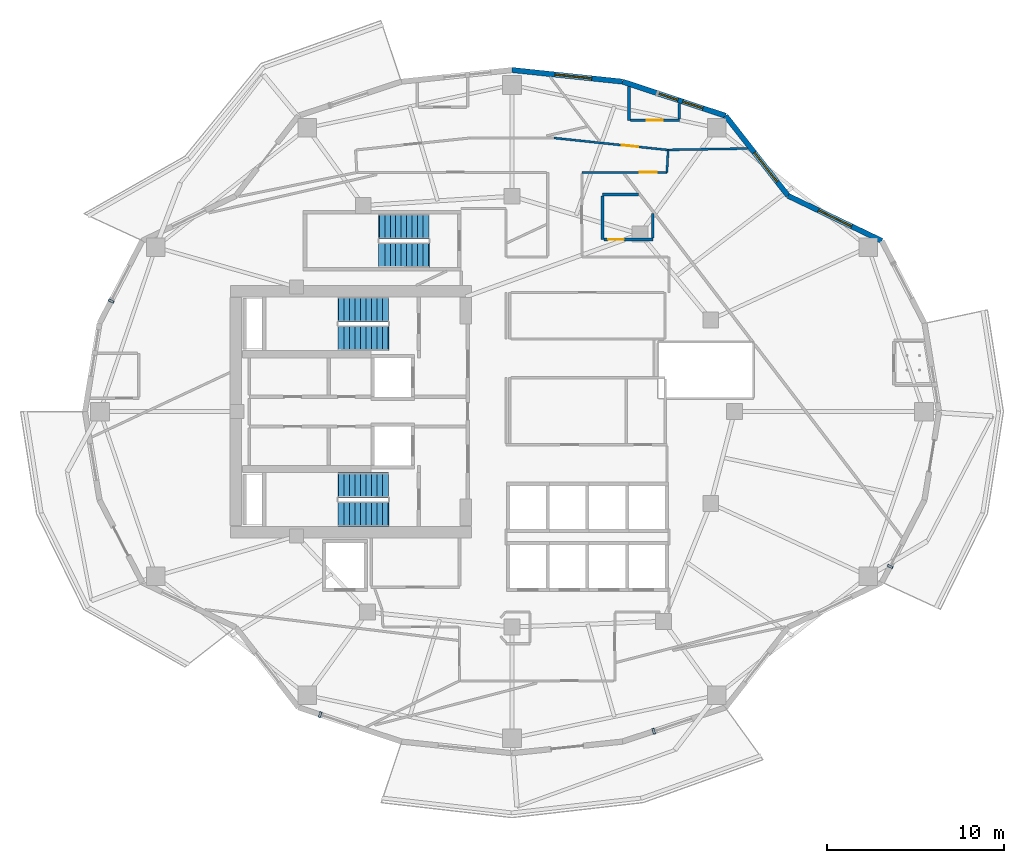
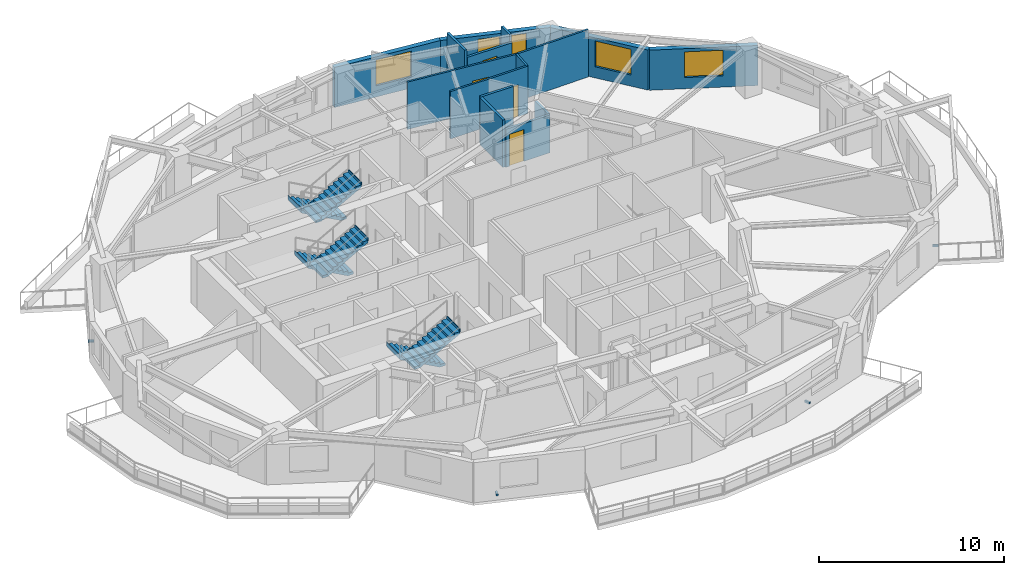
# One storey, part 7 of 14: 15 walls, 6 stair flights, 5 windows, 4 discrete accessories, 4 doors, 9 openings, 3 elements without a shape of their own.
"""IFC4 building model written with IfcOpenShell, lengths in metres."""

from ifc_helpers import new_model, si_unit, direction, frame, frame_2d, origin, origin_2d, place, context, subcontext, project, spatial, polyline, rectangle, outline, extrude, material, layer, layer_set, type_object, element, fill, aggregate, save


model = new_model("IFC4")

# Units and contexts
model_context = context("Model", 3, precision=1e-05, world=origin(), true_north=direction((0.0, 1.0)))
body_context = subcontext(model_context, "Body", "Model", "MODEL_VIEW")
ifc_project = project(units=[si_unit("LENGTHUNIT", "METRE"), si_unit("AREAUNIT", "SQUARE_METRE"), si_unit("VOLUMEUNIT", "CUBIC_METRE"), si_unit("PLANEANGLEUNIT", "RADIAN"), si_unit("MASSUNIT", "GRAM", prefix="KILO")], contexts=[model_context])

# Site, building, storey
site_placement = place(None, origin())
site = spatial("IfcSite", under=ifc_project, at=site_placement, CompositionType="ELEMENT")
building_placement = place(site_placement, origin())
building = spatial("IfcBuilding", under=site, at=building_placement, Name="Kolvaren Gate Tower and Convention Centre", CompositionType="ELEMENT")
storey_placement = place(building_placement, frame((0.0, 0.0, 118.89990234375)))
storey = spatial("IfcBuildingStorey", under=building, at=storey_placement, Name="L29", CompositionType="ELEMENT", Elevation=118.89990234375)

# Wall, opening, door
ifc_material_1 = material(Name="Fire-Rated Acoustic Gypsum Stud Partition", Category="gypsum")
ifc_layer_1 = layer(ifc_material_1, 0.1201171875)
ifc_layer_set_1 = layer_set([ifc_layer_1], Name="Fire-Rated Acoustic Gypsum Stud Partition")
wall_type_1 = type_object("IfcWallType", Name="ARCH-WL-PART-120", PredefinedType="PARTITIONING", material=ifc_layer_set_1)
wall_1_placement = place(storey_placement, frame((34.080078125, 40.550048828125, 0.0), z_axis=(0.0, 0.0, 1.0), x_axis=(1.0, 0.0, 0.0)))
wall_1 = element("IfcWall", 1, at=wall_1_placement, inside=storey, type_object=wall_type_1, Name="Interior Partition WL-L29-INT-043", PredefinedType="PARTITIONING", context=body_context, shape_type="SweptSolid", body=[
    extrude(rectangle(XDim=4.81982421875, YDim=0.1201171875, at=frame_2d((2.409912109375, 0.0))), origin(), (0.0, 0.0, 1.0), 3.130126953125),
])
opening_1_placement = place(wall_1_placement, frame((3.28955078125, 0.0, 0.0)))
opening_1 = element("IfcOpeningElement", 2, at=opening_1_placement, cuts=wall_1, Name="Opening DR-01", PredefinedType="OPENING", context=body_context, shape_type="SweptSolid", body=[
    extrude(rectangle(XDim=0.949951171875, YDim=2.10009765625, at=frame_2d((0.47509765625, 1.050048828125))), frame((0.0, 0.070068359375, 0.0), z_axis=(0.0, -1.0, 0.0), x_axis=(1.0, 0.0, 0.0)), (0.0, 0.0, 1.0), 0.14013671875),
])
ifc_material_2 = material(Name="Painted Architectural Steelwork ASTM A500 Grade C 345 MPa", Category="steel")
door_type_1 = type_object("IfcDoorType", Name="ARCH-DR-RISER-950", OperationType="SINGLE_SWING_RIGHT", PredefinedType="DOOR", material=ifc_material_2)
door_1_placement = place(opening_1_placement, origin())
door_1 = element("IfcDoor", 3, at=door_1_placement, inside=storey, type_object=door_type_1, Name="Deluxe Hotel Suite (HTL-L29-05) Door", OperationType="SINGLE_SWING_LEFT", OverallHeight=2.10009765625, OverallWidth=0.949951171875, PredefinedType="DOOR", context=body_context, shape_type="SweptSolid", body=[
    extrude(rectangle(XDim=0.949951171875, YDim=2.10009765625, at=frame_2d((0.47509765625, 1.050048828125))), frame((0.0, 0.02490234375, 0.0), z_axis=(0.0, -1.0, 0.0), x_axis=(1.0, 0.0, 0.0)), (0.0, 0.0, 1.0), 0.050048828125),
])
fill(opening_1, door_1)

wall_2_placement = place(storey_placement, frame((32.5009765625, 42.5, 0.0), z_axis=(0.0, 0.0, 1.0), x_axis=(0.994501131299, -0.104725831799, 0.0)))
wall_2 = element("IfcWall", 4, at=wall_2_placement, inside=storey, type_object=wall_type_1, Name="Interior Partition WL-L29-INT-046", PredefinedType="PARTITIONING", context=body_context, shape_type="SweptSolid", body=[
    extrude(rectangle(XDim=6.501708984375, YDim=0.1201171875, at=frame_2d((3.2509765625, 0.0))), origin(), (0.0, 0.0, 1.0), 3.130126953125),
])
opening_2_placement = place(wall_2_placement, frame((3.854736328125, 0.0, 0.0)))
opening_2 = element("IfcOpeningElement", 5, at=opening_2_placement, cuts=wall_2, Name="Opening DR-01", PredefinedType="OPENING", context=body_context, shape_type="SweptSolid", body=[
    extrude(rectangle(XDim=0.949951171875, YDim=2.10009765625, at=frame_2d((0.47509765625, 1.050048828125))), frame((0.0, 0.070068359375, 0.0), z_axis=(0.0, -1.0, 0.0), x_axis=(1.0, 0.0, 0.0)), (0.0, 0.0, 1.0), 0.14013671875),
])
door_2_placement = place(opening_2_placement, origin())
door_2 = element("IfcDoor", 6, at=door_2_placement, inside=storey, type_object=door_type_1, Name="Deluxe Hotel Suite (HTL-L29-07) Door", OperationType="SINGLE_SWING_LEFT", OverallHeight=2.10009765625, OverallWidth=0.949951171875, PredefinedType="DOOR", context=body_context, shape_type="SweptSolid", body=[
    extrude(rectangle(XDim=0.949951171875, YDim=2.10009765625, at=frame_2d((0.47509765625, 1.050048828125))), frame((0.0, 0.02490234375, 0.0), z_axis=(0.0, -1.0, 0.0), x_axis=(1.0, 0.0, 0.0)), (0.0, 0.0, 1.0), 0.050048828125),
])
fill(opening_2, door_2)

# Walls
wall_3_placement = place(storey_placement, frame((38.89990234375, 40.550048828125, 0.0), z_axis=(0.0, 0.0, 1.0), x_axis=(0.052851358225, 0.99860239031, 0.0)))
element("IfcWall", 7, at=wall_3_placement, inside=storey, type_object=wall_type_1, Name="Interior Partition WL-L29-INT-047", PredefinedType="PARTITIONING", context=body_context, shape_type="SweptSolid", body=[
    extrude(rectangle(XDim=1.270263671875, YDim=0.1201171875, at=frame_2d((0.63525390625, 0.0))), origin(), (0.0, 0.0, 1.0), 3.130126953125),
])
wall_4_placement = place(storey_placement, frame((38.967529296875, 41.824951171875, 0.0), z_axis=(0.0, 0.0, 1.0), x_axis=(0.999848100989, 0.017429140782, 0.0)))
element("IfcWall", 8, at=wall_4_placement, inside=storey, type_object=wall_type_1, Name="Interior Partition WL-L29-INT-068", PredefinedType="PARTITIONING", context=body_context, shape_type="SweptSolid", body=[
    extrude(rectangle(XDim=4.510498046875, YDim=0.1201171875, at=frame_2d((2.25537109375, 0.0))), origin(), (0.0, 0.0, 1.0), 3.130126953125),
])

# Wall, opening, window
ifc_material_3 = material(Name="Piedmont Cream Honed Limestone Cladding", Category="masonry")
ifc_layer_2 = layer(ifc_material_3, 0.300048828125)
ifc_layer_set_2 = layer_set([ifc_layer_2], Name="Piedmont Cream Honed Limestone Cladding")
wall_type_2 = type_object("IfcWallType", Name="ARCH-WL-STONE-300", PredefinedType="SOLIDWALL", material=ifc_layer_set_2)
wall_5_placement = place(storey_placement, frame((45.768798828125, 39.222900390625, 0.0), z_axis=(0.0, 0.0, 1.0), x_axis=(0.901370184739, -0.433049408339, 0.0)))
wall_5 = element("IfcWall", 9, at=wall_5_placement, inside=storey, type_object=wall_type_2, Name="Tower L29 Honed Stone Spandrel Wall EW-02", PredefinedType="SOLIDWALL", context=body_context, shape_type="SweptSolid", body=[
    extrude(rectangle(XDim=5.883544921875, YDim=0.300048828125, at=frame_2d((2.94189453125, 0.0))), origin(), (0.0, 0.0, 1.0), 2.653076171875),
])
opening_3_placement = place(wall_5_placement, frame((1.89208984375, 0.0, 0.739990234375)))
opening_3 = element("IfcOpeningElement", 10, at=opening_3_placement, cuts=wall_5, Name="Opening W-02", PredefinedType="OPENING", context=body_context, shape_type="SweptSolid", body=[
    extrude(rectangle(XDim=2.10009765625, YDim=1.699951171875, at=frame_2d((1.050048828125, 0.85009765625))), frame((0.0, 0.159912109375, 0.0), z_axis=(0.0, -1.0, 0.0), x_axis=(1.0, 0.0, 0.0)), (0.0, 0.0, 1.0), 0.320068359375),
])
ifc_material_4 = material(Name="Low-E Triple Insulated Glazing Unit 44 mm", Category="glass")
window_type_1 = type_object("IfcWindowType", Name="ARCH-WN-HTL-2100", PartitioningType="SINGLE_PANEL", PredefinedType="WINDOW", material=ifc_material_4)
window_1_placement = place(opening_3_placement, origin())
window_1 = element("IfcWindow", 11, at=window_1_placement, inside=storey, type_object=window_type_1, Name="Tower L29 Punched Stone Facade Window W-02", OverallHeight=1.699951171875, OverallWidth=2.10009765625, PartitioningType="SINGLE_PANEL", PredefinedType="WINDOW", context=body_context, shape_type="SweptSolid", body=[
    extrude(rectangle(XDim=2.10009765625, YDim=1.699951171875, at=frame_2d((1.050048828125, 0.85009765625))), frame((0.0, 0.030029296875, 0.0), z_axis=(0.0, -1.0, 0.0), x_axis=(1.0, 0.0, 0.0)), (0.0, 0.0, 1.0), 0.06005859375),
])
fill(opening_3, window_1)

wall_6_placement = place(storey_placement, frame((42.21875, 43.757568359375, 0.0), z_axis=(0.0, 0.0, 1.0), x_axis=(0.616435134162, -0.787405693001, 0.0)))
wall_6 = element("IfcWall", 12, at=wall_6_placement, inside=storey, type_object=wall_type_2, Name="Tower L29 Honed Stone Spandrel Wall EW-03", PredefinedType="SOLIDWALL", context=body_context, shape_type="SweptSolid", body=[
    extrude(rectangle(XDim=5.759033203125, YDim=0.300048828125, at=frame_2d((2.87939453125, 0.0))), origin(), (0.0, 0.0, 1.0), 2.653076171875),
])
opening_4_placement = place(wall_6_placement, frame((2.64990234375, 0.0, 0.739990234375)))
opening_4 = element("IfcOpeningElement", 13, at=opening_4_placement, cuts=wall_6, Name="Opening W-02", PredefinedType="OPENING", context=body_context, shape_type="SweptSolid", body=[
    extrude(rectangle(XDim=2.10009765625, YDim=1.699951171875, at=frame_2d((1.050048828125, 0.85009765625))), frame((0.0, 0.159912109375, 0.0), z_axis=(0.0, -1.0, 0.0), x_axis=(1.0, 0.0, 0.0)), (0.0, 0.0, 1.0), 0.320068359375),
])
window_2_placement = place(opening_4_placement, origin())
window_2 = element("IfcWindow", 14, at=window_2_placement, inside=storey, type_object=window_type_1, Name="Tower L29 Punched Stone Facade Window W-03", OverallHeight=1.699951171875, OverallWidth=2.10009765625, PartitioningType="SINGLE_PANEL", PredefinedType="WINDOW", context=body_context, shape_type="SweptSolid", body=[
    extrude(rectangle(XDim=2.10009765625, YDim=1.699951171875, at=frame_2d((1.050048828125, 0.85009765625))), frame((0.0, 0.030029296875, 0.0), z_axis=(0.0, -1.0, 0.0), x_axis=(1.0, 0.0, 0.0)), (0.0, 0.0, 1.0), 0.06005859375),
])
fill(opening_4, window_2)

# Wall, openings, windows
wall_7_placement = place(storey_placement, frame((36.38525390625, 45.690673828125, 0.0), z_axis=(0.0, 0.0, 1.0), x_axis=(0.949238009374, -0.314558741032, 0.0)))
wall_7 = element("IfcWall", 15, at=wall_7_placement, inside=storey, type_object=wall_type_2, Name="Tower L29 Honed Stone Spandrel Wall EW-04", PredefinedType="SOLIDWALL", context=body_context, shape_type="SweptSolid", body=[
    extrude(rectangle(XDim=6.1455078125, YDim=0.300048828125, at=frame_2d((3.07275390625, 0.0))), origin(), (0.0, 0.0, 1.0), 2.653076171875),
])
opening_5_placement = place(wall_7_placement, frame((2.107177734375, 0.0, 0.739990234375)))
opening_5 = element("IfcOpeningElement", 16, at=opening_5_placement, cuts=wall_7, Name="Opening W-04", PredefinedType="OPENING", context=body_context, shape_type="SweptSolid", body=[
    extrude(rectangle(XDim=1.199951171875, YDim=1.699951171875, at=frame_2d((0.60009765625, 0.85009765625))), frame((0.0, 0.159912109375, 0.0), z_axis=(0.0, -1.0, 0.0), x_axis=(1.0, 0.0, 0.0)), (0.0, 0.0, 1.0), 0.320068359375),
])
opening_6_placement = place(wall_7_placement, frame((3.587890625, 0.0, 0.739990234375)))
opening_6 = element("IfcOpeningElement", 17, at=opening_6_placement, cuts=wall_7, Name="Opening W-04", PredefinedType="OPENING", context=body_context, shape_type="SweptSolid", body=[
    extrude(rectangle(XDim=1.199951171875, YDim=1.699951171875, at=frame_2d((0.60009765625, 0.85009765625))), frame((0.0, 0.159912109375, 0.0), z_axis=(0.0, -1.0, 0.0), x_axis=(1.0, 0.0, 0.0)), (0.0, 0.0, 1.0), 0.320068359375),
])
window_type_2 = type_object("IfcWindowType", Name="ARCH-WN-NARROW-1200", PartitioningType="SINGLE_PANEL", PredefinedType="WINDOW", material=ifc_material_4)
window_3_placement = place(opening_5_placement, origin())
window_3 = element("IfcWindow", 18, at=window_3_placement, inside=storey, type_object=window_type_2, Name="Tower L29 Punched Stone Facade Window W-04", OverallHeight=1.699951171875, OverallWidth=1.199951171875, PartitioningType="SINGLE_PANEL", PredefinedType="WINDOW", context=body_context, shape_type="SweptSolid", body=[
    extrude(rectangle(XDim=1.199951171875, YDim=1.699951171875, at=frame_2d((0.60009765625, 0.85009765625))), frame((0.0, 0.030029296875, 0.0), z_axis=(0.0, -1.0, 0.0), x_axis=(1.0, 0.0, 0.0)), (0.0, 0.0, 1.0), 0.06005859375),
])
fill(opening_5, window_3)
window_4_placement = place(opening_6_placement, origin())
window_4 = element("IfcWindow", 19, at=window_4_placement, inside=storey, type_object=window_type_2, Name="Tower L29 Punched Stone Facade Window W-04B", OverallHeight=1.699951171875, OverallWidth=1.199951171875, PartitioningType="SINGLE_PANEL", PredefinedType="WINDOW", context=body_context, shape_type="SweptSolid", body=[
    extrude(rectangle(XDim=1.199951171875, YDim=1.699951171875, at=frame_2d((0.60009765625, 0.85009765625))), frame((0.0, 0.030029296875, 0.0), z_axis=(0.0, -1.0, 0.0), x_axis=(1.0, 0.0, 0.0)), (0.0, 0.0, 1.0), 0.06005859375),
])
fill(opening_6, window_4)

# Wall, opening, window
wall_8_placement = place(storey_placement, frame((30.125, 46.35009765625, 0.0), z_axis=(0.0, 0.0, 1.0), x_axis=(0.994498012394, -0.104755445421, 0.0)))
wall_8 = element("IfcWall", 20, at=wall_8_placement, inside=storey, type_object=wall_type_2, Name="Tower L29 Honed Stone Spandrel Wall EW-05", PredefinedType="SOLIDWALL", context=body_context, shape_type="SweptSolid", body=[
    extrude(rectangle(XDim=6.294921875, YDim=0.300048828125, at=frame_2d((3.1474609375, 0.0))), origin(), (0.0, 0.0, 1.0), 2.653076171875),
])
opening_7_placement = place(wall_8_placement, frame((2.449951171875, 0.0, 0.739990234375)))
opening_7 = element("IfcOpeningElement", 21, at=opening_7_placement, cuts=wall_8, Name="Opening W-02", PredefinedType="OPENING", context=body_context, shape_type="SweptSolid", body=[
    extrude(rectangle(XDim=2.10009765625, YDim=1.699951171875, at=frame_2d((1.050048828125, 0.85009765625))), frame((0.0, 0.159912109375, 0.0), z_axis=(0.0, -1.0, 0.0), x_axis=(1.0, 0.0, 0.0)), (0.0, 0.0, 1.0), 0.320068359375),
])
window_5_placement = place(opening_7_placement, origin())
window_5 = element("IfcWindow", 22, at=window_5_placement, inside=storey, type_object=window_type_1, Name="Tower L29 Punched Stone Facade Window W-05", OverallHeight=1.699951171875, OverallWidth=2.10009765625, PartitioningType="SINGLE_PANEL", PredefinedType="WINDOW", context=body_context, shape_type="SweptSolid", body=[
    extrude(rectangle(XDim=2.10009765625, YDim=1.699951171875, at=frame_2d((1.050048828125, 0.85009765625))), frame((0.0, 0.030029296875, 0.0), z_axis=(0.0, -1.0, 0.0), x_axis=(1.0, 0.0, 0.0)), (0.0, 0.0, 1.0), 0.06005859375),
])
fill(opening_7, window_5)

# Walls
ifc_material_5 = material(Name="Moisture-Resistant Cement-Board Acoustic Partition", Category="gypsum")
ifc_layer_3 = layer(ifc_material_5, 0.14990234375)
ifc_layer_set_3 = layer_set([ifc_layer_3], Name="Moisture-Resistant Cement-Board Acoustic Partition")
wall_type_3 = type_object("IfcWallType", Name="ARCH-WL-WET-150", PredefinedType="PARTITIONING", material=ifc_layer_set_3)
wall_9_placement = place(storey_placement, frame((35.25, 39.300048828125, 0.0), z_axis=(0.0, 0.0, 1.0), x_axis=(1.0, 0.0, 0.0)))
element("IfcWall", 23, at=wall_9_placement, inside=storey, type_object=wall_type_3, Name="Interior Partition WL-L29-INT-072", PredefinedType="PARTITIONING", context=body_context, shape_type="SweptSolid", body=[
    extrude(rectangle(XDim=2.02880859375, YDim=0.14990234375, at=frame_2d((1.014404296875, 0.0))), origin(), (0.0, 0.0, 1.0), 3.130126953125),
])
wall_10_placement = place(storey_placement, frame((35.25, 36.75, 0.0), z_axis=(0.0, 0.0, 1.0), x_axis=(0.0, 1.0, 0.0)))
element("IfcWall", 24, at=wall_10_placement, inside=storey, type_object=wall_type_3, Name="Interior Partition WL-L29-INT-073", PredefinedType="PARTITIONING", context=body_context, shape_type="SweptSolid", body=[
    extrude(rectangle(XDim=2.472900390625, YDim=0.14990234375, at=frame_2d((1.236328125, 0.0))), origin(), (0.0, 0.0, 1.0), 3.130126953125),
])

# Wall, opening, door
wall_11_placement = place(storey_placement, frame((35.326904296875, 36.75, 0.0), z_axis=(0.0, 0.0, 1.0), x_axis=(1.0, 0.0, 0.0)))
wall_11 = element("IfcWall", 25, at=wall_11_placement, inside=storey, type_object=wall_type_3, Name="Interior Partition WL-L29-INT-074", PredefinedType="PARTITIONING", context=body_context, shape_type="SweptSolid", body=[
    extrude(rectangle(XDim=2.773193359375, YDim=0.14990234375, at=frame_2d((1.38671875, 0.0))), origin(), (0.0, 0.0, 1.0), 2.505126953125),
])
opening_8_placement = place(wall_11_placement, frame((0.236572265625, 0.0, 0.0)))
opening_8 = element("IfcOpeningElement", 26, at=opening_8_placement, cuts=wall_11, Name="Opening DW-01", PredefinedType="OPENING", context=body_context, shape_type="SweptSolid", body=[
    extrude(rectangle(XDim=0.89990234375, YDim=2.10009765625, at=frame_2d((0.449951171875, 1.050048828125))), frame((0.0, 0.0849609375, 0.0), z_axis=(0.0, -1.0, 0.0), x_axis=(1.0, 0.0, 0.0)), (0.0, 0.0, 1.0), 0.169921875),
])
ifc_material_6 = material(Name="FSC Andean Oak Engineered Veneer Door Leaf", Category="wood")
door_type_2 = type_object("IfcDoorType", Name="ARCH-DR-WC-900", OperationType="SINGLE_SWING_RIGHT", PredefinedType="DOOR", material=ifc_material_6)
door_3_placement = place(opening_8_placement, origin())
door_3 = element("IfcDoor", 27, at=door_3_placement, inside=storey, type_object=door_type_2, Name="En-suite Bathroom (HTL-L29-06) Door", OperationType="SINGLE_SWING_LEFT", OverallHeight=2.10009765625, OverallWidth=0.89990234375, PredefinedType="DOOR", context=body_context, shape_type="SweptSolid", body=[
    extrude(rectangle(XDim=0.89990234375, YDim=2.10009765625, at=frame_2d((0.449951171875, 1.050048828125))), frame((0.0, 0.02490234375, 0.0), z_axis=(0.0, -1.0, 0.0), x_axis=(1.0, 0.0, 0.0)), (0.0, 0.0, 1.0), 0.050048828125),
])
fill(opening_8, door_3)

# Walls
wall_12_placement = place(storey_placement, frame((38.10009765625, 36.826904296875, 0.0), z_axis=(0.0, 0.0, 1.0), x_axis=(0.0, 1.0, 0.0)))
element("IfcWall", 28, at=wall_12_placement, inside=storey, type_object=wall_type_3, Name="Interior Partition WL-L29-INT-075", PredefinedType="PARTITIONING", context=body_context, shape_type="SweptSolid", body=[
    extrude(rectangle(XDim=1.398193359375, YDim=0.14990234375, at=frame_2d((0.69921875, 0.0))), origin(), (0.0, 0.0, 1.0), 2.505126953125),
])
wall_13_placement = place(storey_placement, frame((36.75, 43.5, 0.0), z_axis=(0.0, 0.0, 1.0), x_axis=(0.0, 1.0, 0.0)))
element("IfcWall", 29, at=wall_13_placement, inside=storey, type_object=wall_type_3, Name="Interior Partition WL-L29-INT-078", PredefinedType="PARTITIONING", context=body_context, shape_type="SweptSolid", body=[
    extrude(rectangle(XDim=1.90966796875, YDim=0.14990234375, at=frame_2d((0.954833984375, 0.0))), origin(), (0.0, 0.0, 1.0), 3.130126953125),
])

# Wall, opening, door
wall_14_placement = place(storey_placement, frame((36.826904296875, 43.5, 0.0), z_axis=(0.0, 0.0, 1.0), x_axis=(1.0, 0.0, 0.0)))
wall_14 = element("IfcWall", 30, at=wall_14_placement, inside=storey, type_object=wall_type_3, Name="Interior Partition WL-L29-INT-079", PredefinedType="PARTITIONING", context=body_context, shape_type="SweptSolid", body=[
    extrude(rectangle(XDim=2.773193359375, YDim=0.14990234375, at=frame_2d((1.38671875, 0.0))), origin(), (0.0, 0.0, 1.0), 2.653076171875),
])
opening_9_placement = place(wall_14_placement, frame((0.9365234375, 0.0, 0.0)))
opening_9 = element("IfcOpeningElement", 31, at=opening_9_placement, cuts=wall_14, Name="Opening DW-01", PredefinedType="OPENING", context=body_context, shape_type="SweptSolid", body=[
    extrude(rectangle(XDim=0.89990234375, YDim=2.10009765625, at=frame_2d((0.449951171875, 1.050048828125))), frame((0.0, 0.0849609375, 0.0), z_axis=(0.0, -1.0, 0.0), x_axis=(1.0, 0.0, 0.0)), (0.0, 0.0, 1.0), 0.169921875),
])
door_4_placement = place(opening_9_placement, origin())
door_4 = element("IfcDoor", 32, at=door_4_placement, inside=storey, type_object=door_type_2, Name="En-suite Bathroom (HTL-L29-07) Door", OperationType="SINGLE_SWING_RIGHT", OverallHeight=2.10009765625, OverallWidth=0.89990234375, PredefinedType="DOOR", context=body_context, shape_type="SweptSolid", body=[
    extrude(rectangle(XDim=0.89990234375, YDim=2.10009765625, at=frame_2d((0.449951171875, 1.050048828125))), frame((0.0, 0.02490234375, 0.0), z_axis=(0.0, -1.0, 0.0), x_axis=(1.0, 0.0, 0.0)), (0.0, 0.0, 1.0), 0.050048828125),
])
fill(opening_9, door_4)

# Wall
wall_15_placement = place(storey_placement, frame((39.60009765625, 43.576904296875, 0.0), z_axis=(0.0, 0.0, 1.0), x_axis=(0.0, 1.0, 0.0)))
element("IfcWall", 33, at=wall_15_placement, inside=storey, type_object=wall_type_3, Name="Interior Partition WL-L29-INT-080", PredefinedType="PARTITIONING", context=body_context, shape_type="SweptSolid", body=[
    extrude(rectangle(XDim=0.888427734375, YDim=0.14990234375, at=frame_2d((0.4443359375, 0.0))), origin(), (0.0, 0.0, 1.0), 3.130126953125),
])

# Stair, stair flights
ifc_material_7 = material(Name="Concrete C50/60", Category="concrete")
stair_type = type_object("IfcStairType", Name="STR-STAIR-CORE", PredefinedType="HALF_TURN_STAIR", material=ifc_material_7)
stair_1_placement = place(storey_placement, origin())
stair_1 = element("IfcStair", 34, at=stair_1_placement, inside=storey, type_object=stair_type, Name="L29 Tower North Exit Stair ST-T1", PredefinedType="HALF_TURN_STAIR")
stair_flight_type = type_object("IfcStairFlightType", Name="STR-SFL-1420", PredefinedType="STRAIGHT", material=ifc_material_7)
stair_flight_1_placement = place(storey_placement, frame((23.10009765625, 32.7900390625, 0.0), z_axis=(0.0, 0.0, 1.0), x_axis=(-1.0, 0.0, 0.0)))
stair_flight_1 = element("IfcStairFlight", 35, at=stair_flight_1_placement, type_object=stair_flight_type, Name="ST-T1 flight 1", NumberOfRisers=10, NumberOfTreads=9, PredefinedType="STRAIGHT", RiserHeight=0.17, TreadLength=0.31, context=body_context, shape_type="SweptSolid", body=[
    extrude(outline(polyline([(-0.034912109375, 0.0), (-0.034912109375, 0.169921875), (0.31005859375, 0.169921875), (0.31005859375, 0.340087890625), (0.6201171875, 0.340087890625), (0.6201171875, 0.510009765625), (0.929931640625, 0.510009765625), (0.929931640625, 0.679931640625), (1.239990234375, 0.679931640625), (1.239990234375, 0.85009765625), (1.550048828125, 0.85009765625), (1.550048828125, 1.02001953125), (1.860107421875, 1.02001953125), (1.860107421875, 1.18994140625), (2.169921875, 1.18994140625), (2.169921875, 1.360107421875), (2.47998046875, 1.360107421875), (2.47998046875, 1.530029296875), (2.7900390625, 1.530029296875), (2.7900390625, 1.699951171875), (2.8349609375, 1.699951171875), (2.8349609375, 1.5400390625), (2.7900390625, 1.359130859375), (0.311767578125, 0.0), (-0.034912109375, 0.0)])), frame((0.0, 0.7099609375, 0.0), z_axis=(0.0, -1.0, 0.0), x_axis=(1.0, 0.0, 0.0)), (0.0, 0.0, 1.0), 1.419921875),
])
stair_flight_2_placement = place(storey_placement, frame((20.31005859375, 31.169921875, 1.7001953125), z_axis=(0.0, 0.0, 1.0), x_axis=(1.0, 0.0, 0.0)))
stair_flight_2 = element("IfcStairFlight", 36, at=stair_flight_2_placement, type_object=stair_flight_type, Name="ST-T1 flight 2", NumberOfRisers=10, NumberOfTreads=9, PredefinedType="STRAIGHT", RiserHeight=0.17, TreadLength=0.31, context=body_context, shape_type="SweptSolid", body=[
    extrude(outline(polyline([(-0.034912109375, 0.0), (-0.034912109375, 0.169921875), (0.31005859375, 0.169921875), (0.31005859375, 0.340087890625), (0.6201171875, 0.340087890625), (0.6201171875, 0.510009765625), (0.929931640625, 0.510009765625), (0.929931640625, 0.679931640625), (1.239990234375, 0.679931640625), (1.239990234375, 0.85009765625), (1.550048828125, 0.85009765625), (1.550048828125, 1.02001953125), (1.860107421875, 1.02001953125), (1.860107421875, 1.18994140625), (2.169921875, 1.18994140625), (2.169921875, 1.360107421875), (2.47998046875, 1.360107421875), (2.47998046875, 1.530029296875), (2.7900390625, 1.530029296875), (2.7900390625, 1.699951171875), (2.8349609375, 1.699951171875), (2.8349609375, 1.5400390625), (2.7900390625, 1.359130859375), (0.311767578125, 0.0), (-0.034912109375, 0.0)])), frame((0.0, 0.7099609375, 0.0), z_axis=(0.0, -1.0, 0.0), x_axis=(1.0, 0.0, 0.0)), (0.0, 0.0, 1.0), 1.419921875),
])
aggregate(stair_1, [stair_flight_1, stair_flight_2])

stair_2_placement = place(storey_placement, origin())
stair_2 = element("IfcStair", 37, at=stair_2_placement, inside=storey, type_object=stair_type, Name="L29 Tower South Exit Stair ST-T2", PredefinedType="HALF_TURN_STAIR")
stair_flight_3_placement = place(storey_placement, frame((23.10009765625, 22.830078125, 0.0), z_axis=(0.0, 0.0, 1.0), x_axis=(-1.0, 0.0, 0.0)))
stair_flight_3 = element("IfcStairFlight", 38, at=stair_flight_3_placement, type_object=stair_flight_type, Name="ST-T2 flight 1", NumberOfRisers=10, NumberOfTreads=9, PredefinedType="STRAIGHT", RiserHeight=0.17, TreadLength=0.31, context=body_context, shape_type="SweptSolid", body=[
    extrude(outline(polyline([(-0.034912109375, 0.0), (-0.034912109375, 0.169921875), (0.31005859375, 0.169921875), (0.31005859375, 0.340087890625), (0.6201171875, 0.340087890625), (0.6201171875, 0.510009765625), (0.929931640625, 0.510009765625), (0.929931640625, 0.679931640625), (1.239990234375, 0.679931640625), (1.239990234375, 0.85009765625), (1.550048828125, 0.85009765625), (1.550048828125, 1.02001953125), (1.860107421875, 1.02001953125), (1.860107421875, 1.18994140625), (2.169921875, 1.18994140625), (2.169921875, 1.360107421875), (2.47998046875, 1.360107421875), (2.47998046875, 1.530029296875), (2.7900390625, 1.530029296875), (2.7900390625, 1.699951171875), (2.8349609375, 1.699951171875), (2.8349609375, 1.5400390625), (2.7900390625, 1.359130859375), (0.311767578125, 0.0), (-0.034912109375, 0.0)])), frame((0.0, 0.7099609375, 0.0), z_axis=(0.0, -1.0, 0.0), x_axis=(1.0, 0.0, 0.0)), (0.0, 0.0, 1.0), 1.419921875),
])
stair_flight_4_placement = place(storey_placement, frame((20.31005859375, 21.2099609375, 1.7001953125), z_axis=(0.0, 0.0, 1.0), x_axis=(1.0, 0.0, 0.0)))
stair_flight_4 = element("IfcStairFlight", 39, at=stair_flight_4_placement, type_object=stair_flight_type, Name="ST-T2 flight 2", NumberOfRisers=10, NumberOfTreads=9, PredefinedType="STRAIGHT", RiserHeight=0.17, TreadLength=0.31, context=body_context, shape_type="SweptSolid", body=[
    extrude(outline(polyline([(-0.034912109375, 0.0), (-0.034912109375, 0.169921875), (0.31005859375, 0.169921875), (0.31005859375, 0.340087890625), (0.6201171875, 0.340087890625), (0.6201171875, 0.510009765625), (0.929931640625, 0.510009765625), (0.929931640625, 0.679931640625), (1.239990234375, 0.679931640625), (1.239990234375, 0.85009765625), (1.550048828125, 0.85009765625), (1.550048828125, 1.02001953125), (1.860107421875, 1.02001953125), (1.860107421875, 1.18994140625), (2.169921875, 1.18994140625), (2.169921875, 1.360107421875), (2.47998046875, 1.360107421875), (2.47998046875, 1.530029296875), (2.7900390625, 1.530029296875), (2.7900390625, 1.699951171875), (2.8349609375, 1.699951171875), (2.8349609375, 1.5400390625), (2.7900390625, 1.359130859375), (0.311767578125, 0.0), (-0.034912109375, 0.0)])), frame((0.0, 0.7099609375, 0.0), z_axis=(0.0, -1.0, 0.0), x_axis=(1.0, 0.0, 0.0)), (0.0, 0.0, 1.0), 1.419921875),
])
aggregate(stair_2, [stair_flight_3, stair_flight_4])

stair_3_placement = place(storey_placement, origin())
stair_3 = element("IfcStair", 40, at=stair_3_placement, inside=storey, type_object=stair_type, Name="L29 Tower Mid-Zone Exit Stair ST-T3", PredefinedType="HALF_TURN_STAIR")
stair_flight_5_placement = place(storey_placement, frame((25.39990234375, 37.489990234375, 0.0), z_axis=(0.0, 0.0, 1.0), x_axis=(-1.0, 0.0, 0.0)))
stair_flight_5 = element("IfcStairFlight", 41, at=stair_flight_5_placement, type_object=stair_flight_type, Name="ST-T3 flight 1", NumberOfRisers=10, NumberOfTreads=9, PredefinedType="STRAIGHT", RiserHeight=0.17, TreadLength=0.31, context=body_context, shape_type="SweptSolid", body=[
    extrude(outline(polyline([(-0.034912109375, 0.0), (-0.034912109375, 0.169921875), (0.31005859375, 0.169921875), (0.31005859375, 0.340087890625), (0.6201171875, 0.340087890625), (0.6201171875, 0.510009765625), (0.929931640625, 0.510009765625), (0.929931640625, 0.679931640625), (1.239990234375, 0.679931640625), (1.239990234375, 0.85009765625), (1.550048828125, 0.85009765625), (1.550048828125, 1.02001953125), (1.860107421875, 1.02001953125), (1.860107421875, 1.18994140625), (2.169921875, 1.18994140625), (2.169921875, 1.360107421875), (2.47998046875, 1.360107421875), (2.47998046875, 1.530029296875), (2.7900390625, 1.530029296875), (2.7900390625, 1.699951171875), (2.8349609375, 1.699951171875), (2.8349609375, 1.5400390625), (2.7900390625, 1.359130859375), (0.311767578125, 0.0), (-0.034912109375, 0.0)])), frame((0.0, 0.7099609375, 0.0), z_axis=(0.0, -1.0, 0.0), x_axis=(1.0, 0.0, 0.0)), (0.0, 0.0, 1.0), 1.419921875),
])
stair_flight_6_placement = place(storey_placement, frame((22.610107421875, 35.8701171875, 1.7001953125), z_axis=(0.0, 0.0, 1.0), x_axis=(1.0, 0.0, 0.0)))
stair_flight_6 = element("IfcStairFlight", 42, at=stair_flight_6_placement, type_object=stair_flight_type, Name="ST-T3 flight 2", NumberOfRisers=10, NumberOfTreads=9, PredefinedType="STRAIGHT", RiserHeight=0.17, TreadLength=0.31, context=body_context, shape_type="SweptSolid", body=[
    extrude(outline(polyline([(-0.034912109375, 0.0), (-0.034912109375, 0.169921875), (0.31005859375, 0.169921875), (0.31005859375, 0.340087890625), (0.6201171875, 0.340087890625), (0.6201171875, 0.510009765625), (0.929931640625, 0.510009765625), (0.929931640625, 0.679931640625), (1.239990234375, 0.679931640625), (1.239990234375, 0.85009765625), (1.550048828125, 0.85009765625), (1.550048828125, 1.02001953125), (1.860107421875, 1.02001953125), (1.860107421875, 1.18994140625), (2.169921875, 1.18994140625), (2.169921875, 1.360107421875), (2.47998046875, 1.360107421875), (2.47998046875, 1.530029296875), (2.7900390625, 1.530029296875), (2.7900390625, 1.699951171875), (2.8349609375, 1.699951171875), (2.8349609375, 1.5400390625), (2.7900390625, 1.359130859375), (0.311767578125, 0.0), (-0.034912109375, 0.0)])), frame((0.0, 0.7099609375, 0.0), z_axis=(0.0, -1.0, 0.0), x_axis=(1.0, 0.0, 0.0)), (0.0, 0.0, 1.0), 1.419921875),
])
aggregate(stair_3, [stair_flight_5, stair_flight_6])

# Discrete accessories
ifc_material_8 = material(Name="Anodized Architectural Aluminium Alloy 6063-T6", Category="aluminium")
discrete_accessory_type = type_object("IfcDiscreteAccessoryType", Name="ARCH-ACC-BRACKET-120", PredefinedType="BRACKET", material=ifc_material_8)
for number, where, z_axis, x_axis, name in (
    (43, (7.413818359375, 33.267333984375, 0.2900390625), (0.0, 0.0, 1.0), (0.459781360558, 0.888032150591, 0.0), "Ceramic Fin Wall Anchor Bracket FBK-L29-10"),
    (44, (19.255615234375, 9.836669921875, 0.2900390625), (0.0, 0.0, 1.0), (0.949240081615, -0.314552487599, 0.0), "Ceramic Fin Wall Anchor Bracket FBK-L29-16"),
    (45, (38.153564453125, 8.895263671875, 0.2900390625), (0.0, 0.0, 1.0), (0.949240081615, 0.314552487599, 0.0), "Ceramic Fin Wall Anchor Bracket FBK-L29-19"),
    (46, (51.541015625, 18.230712890625, 0.2900390625), (0.0, 0.0, 1.0), (0.459781360558, 0.888032150591, 0.0), "Ceramic Fin Wall Anchor Bracket FBK-L29-22"),
):
    element("IfcDiscreteAccessory", number, at=place(storey_placement, frame(where, z_axis=z_axis, x_axis=x_axis)), inside=storey, type_object=discrete_accessory_type, Name=name, PredefinedType="BRACKET", context=body_context, shape_type="SweptSolid", body=[
        extrude(rectangle(XDim=0.1201171875, YDim=0.320068359375, at=origin_2d()), origin(), (0.0, 0.0, 1.0), 0.1201171875),
    ])

save(model, "model.ifc")
